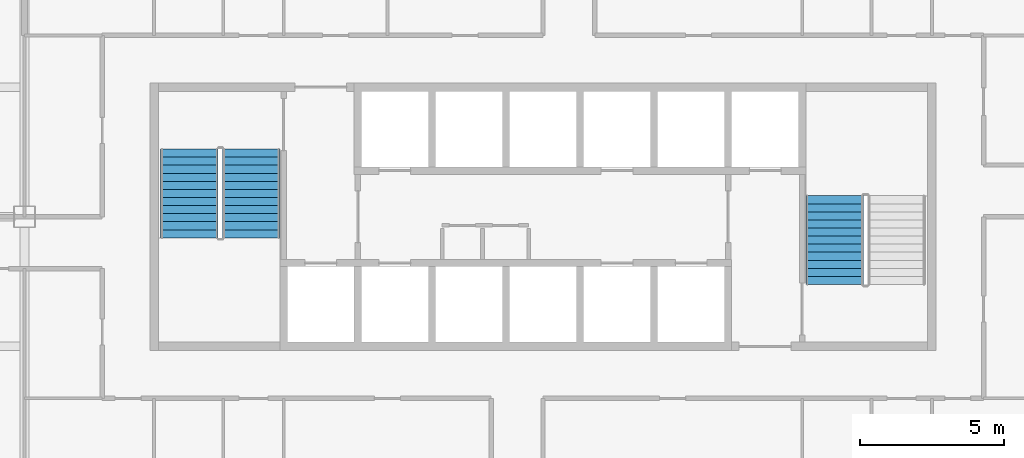
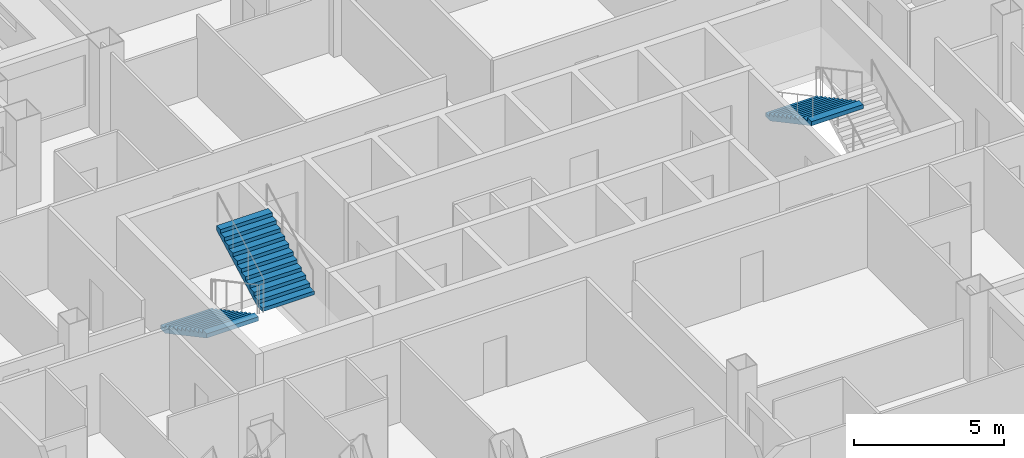
# One storey, part 11 of 15: 3 stair flights, 2 elements without a shape of their own.
"""IFC4 building model written with IfcOpenShell, lengths in metres."""

from ifc_helpers import new_model, si_unit, direction, frame, origin, place, context, subcontext, project, spatial, polygons, material, type_object, element, aggregate, save


model = new_model("IFC4")

# Units and contexts
model_context = context("Model", 3, precision=1e-05, world=origin(), true_north=direction((0.0, 1.0)))
body_context = subcontext(model_context, "Body", "Model", "MODEL_VIEW")
ifc_project = project(units=[si_unit("LENGTHUNIT", "METRE"), si_unit("AREAUNIT", "SQUARE_METRE"), si_unit("VOLUMEUNIT", "CUBIC_METRE"), si_unit("PLANEANGLEUNIT", "RADIAN"), si_unit("MASSUNIT", "GRAM", prefix="KILO")], contexts=[model_context])

# Site, building, storey
site_placement = place(None, origin())
site = spatial("IfcSite", under=ifc_project, at=site_placement, CompositionType="ELEMENT")
building_placement = place(site_placement, origin())
building = spatial("IfcBuilding", under=site, at=building_placement, Name="Caravel Reach Hotel and Residences", CompositionType="ELEMENT")
storey_placement = place(building_placement, frame((0.0, 0.0, 78.0)))
storey = spatial("IfcBuildingStorey", under=building, at=storey_placement, Name="L18", CompositionType="ELEMENT", Elevation=78.0)

# Stair, stair flights
ifc_material_1 = material(Name="Concrete C40", Category="concrete")
stair_type = type_object("IfcStairType", Name="Core stair", PredefinedType="HALF_TURN_STAIR", material=ifc_material_1)
stair_1_placement = place(storey_placement, origin())
stair_1 = element("IfcStair", 1, at=stair_1_placement, inside=storey, type_object=stair_type, Name="L18 Exit stair A", PredefinedType="HALF_TURN_STAIR")
ifc_material_2 = material(Name="Concrete C40", Category="concrete")
stair_flight_type = type_object("IfcStairFlightType", Name="Core stair flight", PredefinedType="STRAIGHT", material=ifc_material_2)
stair_flight_1_placement = place(storey_placement, frame((19.22509765625, 29.35009765625, 0.0), z_axis=(0.0, 0.0, 1.0), x_axis=(0.0, -1.0, 0.0)))
stair_flight_1 = element("IfcStairFlight", 2, at=stair_flight_1_placement, type_object=stair_flight_type, Name="ST-A flight 1", NumberOfRisers=12, NumberOfTreads=11, PredefinedType="STRAIGHT", RiserHeight=0.15, TreadLength=0.28, context=body_context, shape_type="Tessellation", body=[
    polygons([(0.3174408016601862, 1.0, 0.0), (0.3174408016601862, 0.6666666666666667, 0.0), (0.3174408016601862, 0.33333333333333337, 0.0), (0.3174408016601862, 0.0, 0.0), (0.3174408016601862, -0.33333333333333326, 0.0), (0.3174408016601862, -0.6666666666666667, 0.0), (0.3174408016601862, -1.0, 0.0), (3.081, 1.0, 1.479942427682043), (3.081, 0.6666666666666667, 1.479942427682043), (3.081, 0.33333333333333337, 1.479942427682043), (3.081, 0.0, 1.479942427682043), (3.081, -0.33333333333333326, 1.479942427682043), (3.081, -0.6666666666666667, 1.479942427682043), (3.081, -1.0, 1.479942427682043), (3.081, 1.0, 1.65), (3.081, 0.6666666666666667, 1.65), (3.081, 0.33333333333333337, 1.65), (3.081, 0.0, 1.65), (3.081, -0.33333333333333326, 1.65), (3.081, -0.6666666666666667, 1.65), (3.081, -1.0, 1.65), (2.8000000000000003, 1.0, 1.65), (2.8000000000000003, 0.6666666666666667, 1.65), (2.8000000000000003, 0.33333333333333337, 1.65), (2.8000000000000003, 0.0, 1.65), (2.8000000000000003, -0.33333333333333326, 1.65), (2.8000000000000003, -0.6666666666666667, 1.65), (2.8000000000000003, -1.0, 1.65), (2.8000000000000003, 1.0, 1.5), (2.8000000000000003, 0.6666666666666667, 1.5), (2.8000000000000003, 0.33333333333333337, 1.5), (2.8000000000000003, 0.0, 1.5), (2.8000000000000003, -0.33333333333333326, 1.5), (2.8000000000000003, -0.6666666666666667, 1.5), (2.8000000000000003, -1.0, 1.5), (2.5200000000000005, 1.0, 1.5), (2.5200000000000005, 0.6666666666666667, 1.5), (2.5200000000000005, 0.33333333333333337, 1.5), (2.5200000000000005, 0.0, 1.5), (2.5200000000000005, -0.33333333333333326, 1.5), (2.5200000000000005, -0.6666666666666667, 1.5), (2.5200000000000005, -1.0, 1.5), (2.5200000000000005, 1.0, 1.3499999999999999), (2.5200000000000005, 0.6666666666666667, 1.3499999999999999), (2.5200000000000005, 0.33333333333333337, 1.3499999999999999), (2.5200000000000005, 0.0, 1.3499999999999999), (2.5200000000000005, -0.33333333333333326, 1.3499999999999999), (2.5200000000000005, -0.6666666666666667, 1.3499999999999999), (2.5200000000000005, -1.0, 1.3499999999999999), (2.24, 1.0, 1.3499999999999999), (2.24, 0.6666666666666667, 1.3499999999999999), (2.24, 0.33333333333333337, 1.3499999999999999), (2.24, 0.0, 1.3499999999999999), (2.24, -0.33333333333333326, 1.3499999999999999), (2.24, -0.6666666666666667, 1.3499999999999999), (2.24, -1.0, 1.3499999999999999), (2.24, 1.0, 1.2), (2.24, 0.6666666666666667, 1.2), (2.24, 0.33333333333333337, 1.2), (2.24, 0.0, 1.2), (2.24, -0.33333333333333326, 1.2), (2.24, -0.6666666666666667, 1.2), (2.24, -1.0, 1.2), (1.9600000000000002, 1.0, 1.2), (1.9600000000000002, 0.6666666666666667, 1.2), (1.9600000000000002, 0.33333333333333337, 1.2), (1.9600000000000002, 0.0, 1.2), (1.9600000000000002, -0.33333333333333326, 1.2), (1.9600000000000002, -0.6666666666666667, 1.2), (1.9600000000000002, -1.0, 1.2), (1.9600000000000002, 1.0, 1.05), (1.9600000000000002, 0.6666666666666667, 1.05), (1.9600000000000002, 0.33333333333333337, 1.05), (1.9600000000000002, 0.0, 1.05), (1.9600000000000002, -0.33333333333333326, 1.05), (1.9600000000000002, -0.6666666666666667, 1.05), (1.9600000000000002, -1.0, 1.05), (1.6800000000000002, 1.0, 1.05), (1.6800000000000002, 0.6666666666666667, 1.05), (1.6800000000000002, 0.33333333333333337, 1.05), (1.6800000000000002, 0.0, 1.05), (1.6800000000000002, -0.33333333333333326, 1.05), (1.6800000000000002, -0.6666666666666667, 1.05), (1.6800000000000002, -1.0, 1.05), (1.6800000000000002, 1.0, 0.8999999999999999), (1.6800000000000002, 0.6666666666666667, 0.8999999999999999), (1.6800000000000002, 0.33333333333333337, 0.8999999999999999), (1.6800000000000002, 0.0, 0.8999999999999999), (1.6800000000000002, -0.33333333333333326, 0.8999999999999999), (1.6800000000000002, -0.6666666666666667, 0.8999999999999999), (1.6800000000000002, -1.0, 0.8999999999999999), (1.4000000000000001, 1.0, 0.8999999999999999), (1.4000000000000001, 0.6666666666666667, 0.8999999999999999), (1.4000000000000001, 0.33333333333333337, 0.8999999999999999), (1.4000000000000001, 0.0, 0.8999999999999999), (1.4000000000000001, -0.33333333333333326, 0.8999999999999999), (1.4000000000000001, -0.6666666666666667, 0.8999999999999999), (1.4000000000000001, -1.0, 0.8999999999999999), (1.4000000000000001, 1.0, 0.75), (1.4000000000000001, 0.6666666666666667, 0.75), (1.4000000000000001, 0.33333333333333337, 0.75), (1.4000000000000001, 0.0, 0.75), (1.4000000000000001, -0.33333333333333326, 0.75), (1.4000000000000001, -0.6666666666666667, 0.75), (1.4000000000000001, -1.0, 0.75), (1.12, 1.0, 0.75), (1.12, 0.6666666666666667, 0.75), (1.12, 0.33333333333333337, 0.75), (1.12, 0.0, 0.75), (1.12, -0.33333333333333326, 0.75), (1.12, -0.6666666666666667, 0.75), (1.12, -1.0, 0.75), (1.12, 1.0, 0.6), (1.12, 0.6666666666666667, 0.6), (1.12, 0.33333333333333337, 0.6), (1.12, 0.0, 0.6), (1.12, -0.33333333333333326, 0.6), (1.12, -0.6666666666666667, 0.6), (1.12, -1.0, 0.6), (0.8400000000000001, 1.0, 0.6), (0.8400000000000001, 0.6666666666666667, 0.6), (0.8400000000000001, 0.33333333333333337, 0.6), (0.8400000000000001, 0.0, 0.6), (0.8400000000000001, -0.33333333333333326, 0.6), (0.8400000000000001, -0.6666666666666667, 0.6), (0.8400000000000001, -1.0, 0.6), (0.8400000000000001, 1.0, 0.44999999999999996), (0.8400000000000001, 0.6666666666666667, 0.44999999999999996), (0.8400000000000001, 0.33333333333333337, 0.44999999999999996), (0.8400000000000001, 0.0, 0.44999999999999996), (0.8400000000000001, -0.33333333333333326, 0.44999999999999996), (0.8400000000000001, -0.6666666666666667, 0.44999999999999996), (0.8400000000000001, -1.0, 0.44999999999999996), (0.56, 1.0, 0.44999999999999996), (0.56, 0.6666666666666667, 0.44999999999999996), (0.56, 0.33333333333333337, 0.44999999999999996), (0.56, 0.0, 0.44999999999999996), (0.56, -0.33333333333333326, 0.44999999999999996), (0.56, -0.6666666666666667, 0.44999999999999996), (0.56, -1.0, 0.44999999999999996), (0.56, 1.0, 0.3), (0.56, 0.6666666666666667, 0.3), (0.56, 0.33333333333333337, 0.3), (0.56, 0.0, 0.3), (0.56, -0.33333333333333326, 0.3), (0.56, -0.6666666666666667, 0.3), (0.56, -1.0, 0.3), (0.28, 1.0, 0.3), (0.28, 0.6666666666666667, 0.3), (0.28, 0.33333333333333337, 0.3), (0.28, 0.0, 0.3), (0.28, -0.33333333333333326, 0.3), (0.28, -0.6666666666666667, 0.3), (0.28, -1.0, 0.3), (0.28, 1.0, 0.15), (0.28, 0.6666666666666667, 0.15), (0.28, 0.33333333333333337, 0.15), (0.28, 0.0, 0.15), (0.28, -0.33333333333333326, 0.15), (0.28, -0.6666666666666667, 0.15), (0.28, -1.0, 0.15), (-0.001, 1.0, 0.15), (-0.001, 0.6666666666666667, 0.15), (-0.001, 0.33333333333333337, 0.15), (-0.001, 0.0, 0.15), (-0.001, -0.33333333333333326, 0.15), (-0.001, -0.6666666666666667, 0.15), (-0.001, -1.0, 0.15), (-0.001, 1.0, 0.0), (-0.001, 0.6666666666666667, 0.0), (-0.001, 0.33333333333333337, 0.0), (-0.001, 0.0, 0.0), (-0.001, -0.33333333333333326, 0.0), (-0.001, -0.6666666666666667, 0.0), (-0.001, -1.0, 0.0)], [[[169, 162, 155, 148, 141, 134, 127, 120, 113, 106, 99, 92, 85, 78, 71, 64, 57, 50, 43, 36, 29, 22, 15, 8, 1]], [[7, 14, 21, 28, 35, 42, 49, 56, 63, 70, 77, 84, 91, 98, 105, 112, 119, 126, 133, 140, 147, 154, 161, 168, 175]], [[1, 8, 9, 2]], [[2, 9, 10, 3]], [[3, 10, 11, 4]], [[4, 11, 12, 5]], [[5, 12, 13, 6]], [[6, 13, 14, 7]], [[8, 15, 16, 9]], [[9, 16, 17, 10]], [[10, 17, 18, 11]], [[11, 18, 19, 12]], [[12, 19, 20, 13]], [[13, 20, 21, 14]], [[15, 22, 23, 16]], [[16, 23, 24, 17]], [[17, 24, 25, 18]], [[18, 25, 26, 19]], [[19, 26, 27, 20]], [[20, 27, 28, 21]], [[22, 29, 30, 23]], [[23, 30, 31, 24]], [[24, 31, 32, 25]], [[25, 32, 33, 26]], [[26, 33, 34, 27]], [[27, 34, 35, 28]], [[29, 36, 37, 30]], [[30, 37, 38, 31]], [[31, 38, 39, 32]], [[32, 39, 40, 33]], [[33, 40, 41, 34]], [[34, 41, 42, 35]], [[36, 43, 44, 37]], [[37, 44, 45, 38]], [[38, 45, 46, 39]], [[39, 46, 47, 40]], [[40, 47, 48, 41]], [[41, 48, 49, 42]], [[43, 50, 51, 44]], [[44, 51, 52, 45]], [[45, 52, 53, 46]], [[46, 53, 54, 47]], [[47, 54, 55, 48]], [[48, 55, 56, 49]], [[50, 57, 58, 51]], [[51, 58, 59, 52]], [[52, 59, 60, 53]], [[53, 60, 61, 54]], [[54, 61, 62, 55]], [[55, 62, 63, 56]], [[57, 64, 65, 58]], [[58, 65, 66, 59]], [[59, 66, 67, 60]], [[60, 67, 68, 61]], [[61, 68, 69, 62]], [[62, 69, 70, 63]], [[64, 71, 72, 65]], [[65, 72, 73, 66]], [[66, 73, 74, 67]], [[67, 74, 75, 68]], [[68, 75, 76, 69]], [[69, 76, 77, 70]], [[71, 78, 79, 72]], [[72, 79, 80, 73]], [[73, 80, 81, 74]], [[74, 81, 82, 75]], [[75, 82, 83, 76]], [[76, 83, 84, 77]], [[78, 85, 86, 79]], [[79, 86, 87, 80]], [[80, 87, 88, 81]], [[81, 88, 89, 82]], [[82, 89, 90, 83]], [[83, 90, 91, 84]], [[85, 92, 93, 86]], [[86, 93, 94, 87]], [[87, 94, 95, 88]], [[88, 95, 96, 89]], [[89, 96, 97, 90]], [[90, 97, 98, 91]], [[92, 99, 100, 93]], [[93, 100, 101, 94]], [[94, 101, 102, 95]], [[95, 102, 103, 96]], [[96, 103, 104, 97]], [[97, 104, 105, 98]], [[99, 106, 107, 100]], [[100, 107, 108, 101]], [[101, 108, 109, 102]], [[102, 109, 110, 103]], [[103, 110, 111, 104]], [[104, 111, 112, 105]], [[106, 113, 114, 107]], [[107, 114, 115, 108]], [[108, 115, 116, 109]], [[109, 116, 117, 110]], [[110, 117, 118, 111]], [[111, 118, 119, 112]], [[113, 120, 121, 114]], [[114, 121, 122, 115]], [[115, 122, 123, 116]], [[116, 123, 124, 117]], [[117, 124, 125, 118]], [[118, 125, 126, 119]], [[120, 127, 128, 121]], [[121, 128, 129, 122]], [[122, 129, 130, 123]], [[123, 130, 131, 124]], [[124, 131, 132, 125]], [[125, 132, 133, 126]], [[127, 134, 135, 128]], [[128, 135, 136, 129]], [[129, 136, 137, 130]], [[130, 137, 138, 131]], [[131, 138, 139, 132]], [[132, 139, 140, 133]], [[134, 141, 142, 135]], [[135, 142, 143, 136]], [[136, 143, 144, 137]], [[137, 144, 145, 138]], [[138, 145, 146, 139]], [[139, 146, 147, 140]], [[141, 148, 149, 142]], [[142, 149, 150, 143]], [[143, 150, 151, 144]], [[144, 151, 152, 145]], [[145, 152, 153, 146]], [[146, 153, 154, 147]], [[148, 155, 156, 149]], [[149, 156, 157, 150]], [[150, 157, 158, 151]], [[151, 158, 159, 152]], [[152, 159, 160, 153]], [[153, 160, 161, 154]], [[155, 162, 163, 156]], [[156, 163, 164, 157]], [[157, 164, 165, 158]], [[158, 165, 166, 159]], [[159, 166, 167, 160]], [[160, 167, 168, 161]], [[162, 169, 170, 163]], [[163, 170, 171, 164]], [[164, 171, 172, 165]], [[165, 172, 173, 166]], [[166, 173, 174, 167]], [[167, 174, 175, 168]], [[169, 1, 2, 170]], [[170, 2, 3, 171]], [[171, 3, 4, 172]], [[172, 4, 5, 173]], [[173, 5, 6, 174]], [[174, 6, 7, 175]]], closed=True),
])
stair_flight_2_placement = place(storey_placement, frame((21.375, 26.27001953125, 1.800048828125), z_axis=(0.0, 0.0, 1.0), x_axis=(0.0, 1.0, 0.0)))
stair_flight_2 = element("IfcStairFlight", 3, at=stair_flight_2_placement, type_object=stair_flight_type, Name="ST-A flight 2", NumberOfRisers=12, NumberOfTreads=11, PredefinedType="STRAIGHT", RiserHeight=0.15, TreadLength=0.28, context=body_context, shape_type="Tessellation", body=[
    polygons([(0.3174408016601862, 1.0, 0.0), (0.3174408016601862, 0.6666666666666667, 0.0), (0.3174408016601862, 0.33333333333333337, 0.0), (0.3174408016601862, 0.0, 0.0), (0.3174408016601862, -0.33333333333333326, 0.0), (0.3174408016601862, -0.6666666666666667, 0.0), (0.3174408016601862, -1.0, 0.0), (3.081, 1.0, 1.479942427682043), (3.081, 0.6666666666666667, 1.479942427682043), (3.081, 0.33333333333333337, 1.479942427682043), (3.081, 0.0, 1.479942427682043), (3.081, -0.33333333333333326, 1.479942427682043), (3.081, -0.6666666666666667, 1.479942427682043), (3.081, -1.0, 1.479942427682043), (3.081, 1.0, 1.65), (3.081, 0.6666666666666667, 1.65), (3.081, 0.33333333333333337, 1.65), (3.081, 0.0, 1.65), (3.081, -0.33333333333333326, 1.65), (3.081, -0.6666666666666667, 1.65), (3.081, -1.0, 1.65), (2.8000000000000003, 1.0, 1.65), (2.8000000000000003, 0.6666666666666667, 1.65), (2.8000000000000003, 0.33333333333333337, 1.65), (2.8000000000000003, 0.0, 1.65), (2.8000000000000003, -0.33333333333333326, 1.65), (2.8000000000000003, -0.6666666666666667, 1.65), (2.8000000000000003, -1.0, 1.65), (2.8000000000000003, 1.0, 1.5), (2.8000000000000003, 0.6666666666666667, 1.5), (2.8000000000000003, 0.33333333333333337, 1.5), (2.8000000000000003, 0.0, 1.5), (2.8000000000000003, -0.33333333333333326, 1.5), (2.8000000000000003, -0.6666666666666667, 1.5), (2.8000000000000003, -1.0, 1.5), (2.5200000000000005, 1.0, 1.5), (2.5200000000000005, 0.6666666666666667, 1.5), (2.5200000000000005, 0.33333333333333337, 1.5), (2.5200000000000005, 0.0, 1.5), (2.5200000000000005, -0.33333333333333326, 1.5), (2.5200000000000005, -0.6666666666666667, 1.5), (2.5200000000000005, -1.0, 1.5), (2.5200000000000005, 1.0, 1.3499999999999999), (2.5200000000000005, 0.6666666666666667, 1.3499999999999999), (2.5200000000000005, 0.33333333333333337, 1.3499999999999999), (2.5200000000000005, 0.0, 1.3499999999999999), (2.5200000000000005, -0.33333333333333326, 1.3499999999999999), (2.5200000000000005, -0.6666666666666667, 1.3499999999999999), (2.5200000000000005, -1.0, 1.3499999999999999), (2.24, 1.0, 1.3499999999999999), (2.24, 0.6666666666666667, 1.3499999999999999), (2.24, 0.33333333333333337, 1.3499999999999999), (2.24, 0.0, 1.3499999999999999), (2.24, -0.33333333333333326, 1.3499999999999999), (2.24, -0.6666666666666667, 1.3499999999999999), (2.24, -1.0, 1.3499999999999999), (2.24, 1.0, 1.2), (2.24, 0.6666666666666667, 1.2), (2.24, 0.33333333333333337, 1.2), (2.24, 0.0, 1.2), (2.24, -0.33333333333333326, 1.2), (2.24, -0.6666666666666667, 1.2), (2.24, -1.0, 1.2), (1.9600000000000002, 1.0, 1.2), (1.9600000000000002, 0.6666666666666667, 1.2), (1.9600000000000002, 0.33333333333333337, 1.2), (1.9600000000000002, 0.0, 1.2), (1.9600000000000002, -0.33333333333333326, 1.2), (1.9600000000000002, -0.6666666666666667, 1.2), (1.9600000000000002, -1.0, 1.2), (1.9600000000000002, 1.0, 1.05), (1.9600000000000002, 0.6666666666666667, 1.05), (1.9600000000000002, 0.33333333333333337, 1.05), (1.9600000000000002, 0.0, 1.05), (1.9600000000000002, -0.33333333333333326, 1.05), (1.9600000000000002, -0.6666666666666667, 1.05), (1.9600000000000002, -1.0, 1.05), (1.6800000000000002, 1.0, 1.05), (1.6800000000000002, 0.6666666666666667, 1.05), (1.6800000000000002, 0.33333333333333337, 1.05), (1.6800000000000002, 0.0, 1.05), (1.6800000000000002, -0.33333333333333326, 1.05), (1.6800000000000002, -0.6666666666666667, 1.05), (1.6800000000000002, -1.0, 1.05), (1.6800000000000002, 1.0, 0.8999999999999999), (1.6800000000000002, 0.6666666666666667, 0.8999999999999999), (1.6800000000000002, 0.33333333333333337, 0.8999999999999999), (1.6800000000000002, 0.0, 0.8999999999999999), (1.6800000000000002, -0.33333333333333326, 0.8999999999999999), (1.6800000000000002, -0.6666666666666667, 0.8999999999999999), (1.6800000000000002, -1.0, 0.8999999999999999), (1.4000000000000001, 1.0, 0.8999999999999999), (1.4000000000000001, 0.6666666666666667, 0.8999999999999999), (1.4000000000000001, 0.33333333333333337, 0.8999999999999999), (1.4000000000000001, 0.0, 0.8999999999999999), (1.4000000000000001, -0.33333333333333326, 0.8999999999999999), (1.4000000000000001, -0.6666666666666667, 0.8999999999999999), (1.4000000000000001, -1.0, 0.8999999999999999), (1.4000000000000001, 1.0, 0.75), (1.4000000000000001, 0.6666666666666667, 0.75), (1.4000000000000001, 0.33333333333333337, 0.75), (1.4000000000000001, 0.0, 0.75), (1.4000000000000001, -0.33333333333333326, 0.75), (1.4000000000000001, -0.6666666666666667, 0.75), (1.4000000000000001, -1.0, 0.75), (1.12, 1.0, 0.75), (1.12, 0.6666666666666667, 0.75), (1.12, 0.33333333333333337, 0.75), (1.12, 0.0, 0.75), (1.12, -0.33333333333333326, 0.75), (1.12, -0.6666666666666667, 0.75), (1.12, -1.0, 0.75), (1.12, 1.0, 0.6), (1.12, 0.6666666666666667, 0.6), (1.12, 0.33333333333333337, 0.6), (1.12, 0.0, 0.6), (1.12, -0.33333333333333326, 0.6), (1.12, -0.6666666666666667, 0.6), (1.12, -1.0, 0.6), (0.8400000000000001, 1.0, 0.6), (0.8400000000000001, 0.6666666666666667, 0.6), (0.8400000000000001, 0.33333333333333337, 0.6), (0.8400000000000001, 0.0, 0.6), (0.8400000000000001, -0.33333333333333326, 0.6), (0.8400000000000001, -0.6666666666666667, 0.6), (0.8400000000000001, -1.0, 0.6), (0.8400000000000001, 1.0, 0.44999999999999996), (0.8400000000000001, 0.6666666666666667, 0.44999999999999996), (0.8400000000000001, 0.33333333333333337, 0.44999999999999996), (0.8400000000000001, 0.0, 0.44999999999999996), (0.8400000000000001, -0.33333333333333326, 0.44999999999999996), (0.8400000000000001, -0.6666666666666667, 0.44999999999999996), (0.8400000000000001, -1.0, 0.44999999999999996), (0.56, 1.0, 0.44999999999999996), (0.56, 0.6666666666666667, 0.44999999999999996), (0.56, 0.33333333333333337, 0.44999999999999996), (0.56, 0.0, 0.44999999999999996), (0.56, -0.33333333333333326, 0.44999999999999996), (0.56, -0.6666666666666667, 0.44999999999999996), (0.56, -1.0, 0.44999999999999996), (0.56, 1.0, 0.3), (0.56, 0.6666666666666667, 0.3), (0.56, 0.33333333333333337, 0.3), (0.56, 0.0, 0.3), (0.56, -0.33333333333333326, 0.3), (0.56, -0.6666666666666667, 0.3), (0.56, -1.0, 0.3), (0.28, 1.0, 0.3), (0.28, 0.6666666666666667, 0.3), (0.28, 0.33333333333333337, 0.3), (0.28, 0.0, 0.3), (0.28, -0.33333333333333326, 0.3), (0.28, -0.6666666666666667, 0.3), (0.28, -1.0, 0.3), (0.28, 1.0, 0.15), (0.28, 0.6666666666666667, 0.15), (0.28, 0.33333333333333337, 0.15), (0.28, 0.0, 0.15), (0.28, -0.33333333333333326, 0.15), (0.28, -0.6666666666666667, 0.15), (0.28, -1.0, 0.15), (-0.001, 1.0, 0.15), (-0.001, 0.6666666666666667, 0.15), (-0.001, 0.33333333333333337, 0.15), (-0.001, 0.0, 0.15), (-0.001, -0.33333333333333326, 0.15), (-0.001, -0.6666666666666667, 0.15), (-0.001, -1.0, 0.15), (-0.001, 1.0, 0.0), (-0.001, 0.6666666666666667, 0.0), (-0.001, 0.33333333333333337, 0.0), (-0.001, 0.0, 0.0), (-0.001, -0.33333333333333326, 0.0), (-0.001, -0.6666666666666667, 0.0), (-0.001, -1.0, 0.0)], [[[169, 162, 155, 148, 141, 134, 127, 120, 113, 106, 99, 92, 85, 78, 71, 64, 57, 50, 43, 36, 29, 22, 15, 8, 1]], [[7, 14, 21, 28, 35, 42, 49, 56, 63, 70, 77, 84, 91, 98, 105, 112, 119, 126, 133, 140, 147, 154, 161, 168, 175]], [[1, 8, 9, 2]], [[2, 9, 10, 3]], [[3, 10, 11, 4]], [[4, 11, 12, 5]], [[5, 12, 13, 6]], [[6, 13, 14, 7]], [[8, 15, 16, 9]], [[9, 16, 17, 10]], [[10, 17, 18, 11]], [[11, 18, 19, 12]], [[12, 19, 20, 13]], [[13, 20, 21, 14]], [[15, 22, 23, 16]], [[16, 23, 24, 17]], [[17, 24, 25, 18]], [[18, 25, 26, 19]], [[19, 26, 27, 20]], [[20, 27, 28, 21]], [[22, 29, 30, 23]], [[23, 30, 31, 24]], [[24, 31, 32, 25]], [[25, 32, 33, 26]], [[26, 33, 34, 27]], [[27, 34, 35, 28]], [[29, 36, 37, 30]], [[30, 37, 38, 31]], [[31, 38, 39, 32]], [[32, 39, 40, 33]], [[33, 40, 41, 34]], [[34, 41, 42, 35]], [[36, 43, 44, 37]], [[37, 44, 45, 38]], [[38, 45, 46, 39]], [[39, 46, 47, 40]], [[40, 47, 48, 41]], [[41, 48, 49, 42]], [[43, 50, 51, 44]], [[44, 51, 52, 45]], [[45, 52, 53, 46]], [[46, 53, 54, 47]], [[47, 54, 55, 48]], [[48, 55, 56, 49]], [[50, 57, 58, 51]], [[51, 58, 59, 52]], [[52, 59, 60, 53]], [[53, 60, 61, 54]], [[54, 61, 62, 55]], [[55, 62, 63, 56]], [[57, 64, 65, 58]], [[58, 65, 66, 59]], [[59, 66, 67, 60]], [[60, 67, 68, 61]], [[61, 68, 69, 62]], [[62, 69, 70, 63]], [[64, 71, 72, 65]], [[65, 72, 73, 66]], [[66, 73, 74, 67]], [[67, 74, 75, 68]], [[68, 75, 76, 69]], [[69, 76, 77, 70]], [[71, 78, 79, 72]], [[72, 79, 80, 73]], [[73, 80, 81, 74]], [[74, 81, 82, 75]], [[75, 82, 83, 76]], [[76, 83, 84, 77]], [[78, 85, 86, 79]], [[79, 86, 87, 80]], [[80, 87, 88, 81]], [[81, 88, 89, 82]], [[82, 89, 90, 83]], [[83, 90, 91, 84]], [[85, 92, 93, 86]], [[86, 93, 94, 87]], [[87, 94, 95, 88]], [[88, 95, 96, 89]], [[89, 96, 97, 90]], [[90, 97, 98, 91]], [[92, 99, 100, 93]], [[93, 100, 101, 94]], [[94, 101, 102, 95]], [[95, 102, 103, 96]], [[96, 103, 104, 97]], [[97, 104, 105, 98]], [[99, 106, 107, 100]], [[100, 107, 108, 101]], [[101, 108, 109, 102]], [[102, 109, 110, 103]], [[103, 110, 111, 104]], [[104, 111, 112, 105]], [[106, 113, 114, 107]], [[107, 114, 115, 108]], [[108, 115, 116, 109]], [[109, 116, 117, 110]], [[110, 117, 118, 111]], [[111, 118, 119, 112]], [[113, 120, 121, 114]], [[114, 121, 122, 115]], [[115, 122, 123, 116]], [[116, 123, 124, 117]], [[117, 124, 125, 118]], [[118, 125, 126, 119]], [[120, 127, 128, 121]], [[121, 128, 129, 122]], [[122, 129, 130, 123]], [[123, 130, 131, 124]], [[124, 131, 132, 125]], [[125, 132, 133, 126]], [[127, 134, 135, 128]], [[128, 135, 136, 129]], [[129, 136, 137, 130]], [[130, 137, 138, 131]], [[131, 138, 139, 132]], [[132, 139, 140, 133]], [[134, 141, 142, 135]], [[135, 142, 143, 136]], [[136, 143, 144, 137]], [[137, 144, 145, 138]], [[138, 145, 146, 139]], [[139, 146, 147, 140]], [[141, 148, 149, 142]], [[142, 149, 150, 143]], [[143, 150, 151, 144]], [[144, 151, 152, 145]], [[145, 152, 153, 146]], [[146, 153, 154, 147]], [[148, 155, 156, 149]], [[149, 156, 157, 150]], [[150, 157, 158, 151]], [[151, 158, 159, 152]], [[152, 159, 160, 153]], [[153, 160, 161, 154]], [[155, 162, 163, 156]], [[156, 163, 164, 157]], [[157, 164, 165, 158]], [[158, 165, 166, 159]], [[159, 166, 167, 160]], [[160, 167, 168, 161]], [[162, 169, 170, 163]], [[163, 170, 171, 164]], [[164, 171, 172, 165]], [[165, 172, 173, 166]], [[166, 173, 174, 167]], [[167, 174, 175, 168]], [[169, 1, 2, 170]], [[170, 2, 3, 171]], [[171, 3, 4, 172]], [[172, 4, 5, 173]], [[173, 5, 6, 174]], [[174, 6, 7, 175]]], closed=True),
])
aggregate(stair_1, [stair_flight_1, stair_flight_2])

# Stair, stair flight
stair_2_placement = place(storey_placement, origin())
stair_2 = element("IfcStair", 4, at=stair_2_placement, inside=storey, type_object=stair_type, Name="L18 Exit stair B", PredefinedType="HALF_TURN_STAIR")
stair_flight_3_placement = place(storey_placement, frame((41.625, 27.72998046875, 1.800048828125), z_axis=(0.0, 0.0, 1.0), x_axis=(0.0, -1.0, 0.0)))
stair_flight_3 = element("IfcStairFlight", 5, at=stair_flight_3_placement, type_object=stair_flight_type, Name="ST-B flight 2", NumberOfRisers=12, NumberOfTreads=11, PredefinedType="STRAIGHT", RiserHeight=0.15, TreadLength=0.28, context=body_context, shape_type="Tessellation", body=[
    polygons([(0.3174408016601862, 1.0, 0.0), (0.3174408016601862, 0.6666666666666667, 0.0), (0.3174408016601862, 0.33333333333333337, 0.0), (0.3174408016601862, 0.0, 0.0), (0.3174408016601862, -0.33333333333333326, 0.0), (0.3174408016601862, -0.6666666666666667, 0.0), (0.3174408016601862, -1.0, 0.0), (3.081, 1.0, 1.479942427682043), (3.081, 0.6666666666666667, 1.479942427682043), (3.081, 0.33333333333333337, 1.479942427682043), (3.081, 0.0, 1.479942427682043), (3.081, -0.33333333333333326, 1.479942427682043), (3.081, -0.6666666666666667, 1.479942427682043), (3.081, -1.0, 1.479942427682043), (3.081, 1.0, 1.65), (3.081, 0.6666666666666667, 1.65), (3.081, 0.33333333333333337, 1.65), (3.081, 0.0, 1.65), (3.081, -0.33333333333333326, 1.65), (3.081, -0.6666666666666667, 1.65), (3.081, -1.0, 1.65), (2.8000000000000003, 1.0, 1.65), (2.8000000000000003, 0.6666666666666667, 1.65), (2.8000000000000003, 0.33333333333333337, 1.65), (2.8000000000000003, 0.0, 1.65), (2.8000000000000003, -0.33333333333333326, 1.65), (2.8000000000000003, -0.6666666666666667, 1.65), (2.8000000000000003, -1.0, 1.65), (2.8000000000000003, 1.0, 1.5), (2.8000000000000003, 0.6666666666666667, 1.5), (2.8000000000000003, 0.33333333333333337, 1.5), (2.8000000000000003, 0.0, 1.5), (2.8000000000000003, -0.33333333333333326, 1.5), (2.8000000000000003, -0.6666666666666667, 1.5), (2.8000000000000003, -1.0, 1.5), (2.5200000000000005, 1.0, 1.5), (2.5200000000000005, 0.6666666666666667, 1.5), (2.5200000000000005, 0.33333333333333337, 1.5), (2.5200000000000005, 0.0, 1.5), (2.5200000000000005, -0.33333333333333326, 1.5), (2.5200000000000005, -0.6666666666666667, 1.5), (2.5200000000000005, -1.0, 1.5), (2.5200000000000005, 1.0, 1.3499999999999999), (2.5200000000000005, 0.6666666666666667, 1.3499999999999999), (2.5200000000000005, 0.33333333333333337, 1.3499999999999999), (2.5200000000000005, 0.0, 1.3499999999999999), (2.5200000000000005, -0.33333333333333326, 1.3499999999999999), (2.5200000000000005, -0.6666666666666667, 1.3499999999999999), (2.5200000000000005, -1.0, 1.3499999999999999), (2.24, 1.0, 1.3499999999999999), (2.24, 0.6666666666666667, 1.3499999999999999), (2.24, 0.33333333333333337, 1.3499999999999999), (2.24, 0.0, 1.3499999999999999), (2.24, -0.33333333333333326, 1.3499999999999999), (2.24, -0.6666666666666667, 1.3499999999999999), (2.24, -1.0, 1.3499999999999999), (2.24, 1.0, 1.2), (2.24, 0.6666666666666667, 1.2), (2.24, 0.33333333333333337, 1.2), (2.24, 0.0, 1.2), (2.24, -0.33333333333333326, 1.2), (2.24, -0.6666666666666667, 1.2), (2.24, -1.0, 1.2), (1.9600000000000002, 1.0, 1.2), (1.9600000000000002, 0.6666666666666667, 1.2), (1.9600000000000002, 0.33333333333333337, 1.2), (1.9600000000000002, 0.0, 1.2), (1.9600000000000002, -0.33333333333333326, 1.2), (1.9600000000000002, -0.6666666666666667, 1.2), (1.9600000000000002, -1.0, 1.2), (1.9600000000000002, 1.0, 1.05), (1.9600000000000002, 0.6666666666666667, 1.05), (1.9600000000000002, 0.33333333333333337, 1.05), (1.9600000000000002, 0.0, 1.05), (1.9600000000000002, -0.33333333333333326, 1.05), (1.9600000000000002, -0.6666666666666667, 1.05), (1.9600000000000002, -1.0, 1.05), (1.6800000000000002, 1.0, 1.05), (1.6800000000000002, 0.6666666666666667, 1.05), (1.6800000000000002, 0.33333333333333337, 1.05), (1.6800000000000002, 0.0, 1.05), (1.6800000000000002, -0.33333333333333326, 1.05), (1.6800000000000002, -0.6666666666666667, 1.05), (1.6800000000000002, -1.0, 1.05), (1.6800000000000002, 1.0, 0.8999999999999999), (1.6800000000000002, 0.6666666666666667, 0.8999999999999999), (1.6800000000000002, 0.33333333333333337, 0.8999999999999999), (1.6800000000000002, 0.0, 0.8999999999999999), (1.6800000000000002, -0.33333333333333326, 0.8999999999999999), (1.6800000000000002, -0.6666666666666667, 0.8999999999999999), (1.6800000000000002, -1.0, 0.8999999999999999), (1.4000000000000001, 1.0, 0.8999999999999999), (1.4000000000000001, 0.6666666666666667, 0.8999999999999999), (1.4000000000000001, 0.33333333333333337, 0.8999999999999999), (1.4000000000000001, 0.0, 0.8999999999999999), (1.4000000000000001, -0.33333333333333326, 0.8999999999999999), (1.4000000000000001, -0.6666666666666667, 0.8999999999999999), (1.4000000000000001, -1.0, 0.8999999999999999), (1.4000000000000001, 1.0, 0.75), (1.4000000000000001, 0.6666666666666667, 0.75), (1.4000000000000001, 0.33333333333333337, 0.75), (1.4000000000000001, 0.0, 0.75), (1.4000000000000001, -0.33333333333333326, 0.75), (1.4000000000000001, -0.6666666666666667, 0.75), (1.4000000000000001, -1.0, 0.75), (1.12, 1.0, 0.75), (1.12, 0.6666666666666667, 0.75), (1.12, 0.33333333333333337, 0.75), (1.12, 0.0, 0.75), (1.12, -0.33333333333333326, 0.75), (1.12, -0.6666666666666667, 0.75), (1.12, -1.0, 0.75), (1.12, 1.0, 0.6), (1.12, 0.6666666666666667, 0.6), (1.12, 0.33333333333333337, 0.6), (1.12, 0.0, 0.6), (1.12, -0.33333333333333326, 0.6), (1.12, -0.6666666666666667, 0.6), (1.12, -1.0, 0.6), (0.8400000000000001, 1.0, 0.6), (0.8400000000000001, 0.6666666666666667, 0.6), (0.8400000000000001, 0.33333333333333337, 0.6), (0.8400000000000001, 0.0, 0.6), (0.8400000000000001, -0.33333333333333326, 0.6), (0.8400000000000001, -0.6666666666666667, 0.6), (0.8400000000000001, -1.0, 0.6), (0.8400000000000001, 1.0, 0.44999999999999996), (0.8400000000000001, 0.6666666666666667, 0.44999999999999996), (0.8400000000000001, 0.33333333333333337, 0.44999999999999996), (0.8400000000000001, 0.0, 0.44999999999999996), (0.8400000000000001, -0.33333333333333326, 0.44999999999999996), (0.8400000000000001, -0.6666666666666667, 0.44999999999999996), (0.8400000000000001, -1.0, 0.44999999999999996), (0.56, 1.0, 0.44999999999999996), (0.56, 0.6666666666666667, 0.44999999999999996), (0.56, 0.33333333333333337, 0.44999999999999996), (0.56, 0.0, 0.44999999999999996), (0.56, -0.33333333333333326, 0.44999999999999996), (0.56, -0.6666666666666667, 0.44999999999999996), (0.56, -1.0, 0.44999999999999996), (0.56, 1.0, 0.3), (0.56, 0.6666666666666667, 0.3), (0.56, 0.33333333333333337, 0.3), (0.56, 0.0, 0.3), (0.56, -0.33333333333333326, 0.3), (0.56, -0.6666666666666667, 0.3), (0.56, -1.0, 0.3), (0.28, 1.0, 0.3), (0.28, 0.6666666666666667, 0.3), (0.28, 0.33333333333333337, 0.3), (0.28, 0.0, 0.3), (0.28, -0.33333333333333326, 0.3), (0.28, -0.6666666666666667, 0.3), (0.28, -1.0, 0.3), (0.28, 1.0, 0.15), (0.28, 0.6666666666666667, 0.15), (0.28, 0.33333333333333337, 0.15), (0.28, 0.0, 0.15), (0.28, -0.33333333333333326, 0.15), (0.28, -0.6666666666666667, 0.15), (0.28, -1.0, 0.15), (-0.001, 1.0, 0.15), (-0.001, 0.6666666666666667, 0.15), (-0.001, 0.33333333333333337, 0.15), (-0.001, 0.0, 0.15), (-0.001, -0.33333333333333326, 0.15), (-0.001, -0.6666666666666667, 0.15), (-0.001, -1.0, 0.15), (-0.001, 1.0, 0.0), (-0.001, 0.6666666666666667, 0.0), (-0.001, 0.33333333333333337, 0.0), (-0.001, 0.0, 0.0), (-0.001, -0.33333333333333326, 0.0), (-0.001, -0.6666666666666667, 0.0), (-0.001, -1.0, 0.0)], [[[169, 162, 155, 148, 141, 134, 127, 120, 113, 106, 99, 92, 85, 78, 71, 64, 57, 50, 43, 36, 29, 22, 15, 8, 1]], [[7, 14, 21, 28, 35, 42, 49, 56, 63, 70, 77, 84, 91, 98, 105, 112, 119, 126, 133, 140, 147, 154, 161, 168, 175]], [[1, 8, 9, 2]], [[2, 9, 10, 3]], [[3, 10, 11, 4]], [[4, 11, 12, 5]], [[5, 12, 13, 6]], [[6, 13, 14, 7]], [[8, 15, 16, 9]], [[9, 16, 17, 10]], [[10, 17, 18, 11]], [[11, 18, 19, 12]], [[12, 19, 20, 13]], [[13, 20, 21, 14]], [[15, 22, 23, 16]], [[16, 23, 24, 17]], [[17, 24, 25, 18]], [[18, 25, 26, 19]], [[19, 26, 27, 20]], [[20, 27, 28, 21]], [[22, 29, 30, 23]], [[23, 30, 31, 24]], [[24, 31, 32, 25]], [[25, 32, 33, 26]], [[26, 33, 34, 27]], [[27, 34, 35, 28]], [[29, 36, 37, 30]], [[30, 37, 38, 31]], [[31, 38, 39, 32]], [[32, 39, 40, 33]], [[33, 40, 41, 34]], [[34, 41, 42, 35]], [[36, 43, 44, 37]], [[37, 44, 45, 38]], [[38, 45, 46, 39]], [[39, 46, 47, 40]], [[40, 47, 48, 41]], [[41, 48, 49, 42]], [[43, 50, 51, 44]], [[44, 51, 52, 45]], [[45, 52, 53, 46]], [[46, 53, 54, 47]], [[47, 54, 55, 48]], [[48, 55, 56, 49]], [[50, 57, 58, 51]], [[51, 58, 59, 52]], [[52, 59, 60, 53]], [[53, 60, 61, 54]], [[54, 61, 62, 55]], [[55, 62, 63, 56]], [[57, 64, 65, 58]], [[58, 65, 66, 59]], [[59, 66, 67, 60]], [[60, 67, 68, 61]], [[61, 68, 69, 62]], [[62, 69, 70, 63]], [[64, 71, 72, 65]], [[65, 72, 73, 66]], [[66, 73, 74, 67]], [[67, 74, 75, 68]], [[68, 75, 76, 69]], [[69, 76, 77, 70]], [[71, 78, 79, 72]], [[72, 79, 80, 73]], [[73, 80, 81, 74]], [[74, 81, 82, 75]], [[75, 82, 83, 76]], [[76, 83, 84, 77]], [[78, 85, 86, 79]], [[79, 86, 87, 80]], [[80, 87, 88, 81]], [[81, 88, 89, 82]], [[82, 89, 90, 83]], [[83, 90, 91, 84]], [[85, 92, 93, 86]], [[86, 93, 94, 87]], [[87, 94, 95, 88]], [[88, 95, 96, 89]], [[89, 96, 97, 90]], [[90, 97, 98, 91]], [[92, 99, 100, 93]], [[93, 100, 101, 94]], [[94, 101, 102, 95]], [[95, 102, 103, 96]], [[96, 103, 104, 97]], [[97, 104, 105, 98]], [[99, 106, 107, 100]], [[100, 107, 108, 101]], [[101, 108, 109, 102]], [[102, 109, 110, 103]], [[103, 110, 111, 104]], [[104, 111, 112, 105]], [[106, 113, 114, 107]], [[107, 114, 115, 108]], [[108, 115, 116, 109]], [[109, 116, 117, 110]], [[110, 117, 118, 111]], [[111, 118, 119, 112]], [[113, 120, 121, 114]], [[114, 121, 122, 115]], [[115, 122, 123, 116]], [[116, 123, 124, 117]], [[117, 124, 125, 118]], [[118, 125, 126, 119]], [[120, 127, 128, 121]], [[121, 128, 129, 122]], [[122, 129, 130, 123]], [[123, 130, 131, 124]], [[124, 131, 132, 125]], [[125, 132, 133, 126]], [[127, 134, 135, 128]], [[128, 135, 136, 129]], [[129, 136, 137, 130]], [[130, 137, 138, 131]], [[131, 138, 139, 132]], [[132, 139, 140, 133]], [[134, 141, 142, 135]], [[135, 142, 143, 136]], [[136, 143, 144, 137]], [[137, 144, 145, 138]], [[138, 145, 146, 139]], [[139, 146, 147, 140]], [[141, 148, 149, 142]], [[142, 149, 150, 143]], [[143, 150, 151, 144]], [[144, 151, 152, 145]], [[145, 152, 153, 146]], [[146, 153, 154, 147]], [[148, 155, 156, 149]], [[149, 156, 157, 150]], [[150, 157, 158, 151]], [[151, 158, 159, 152]], [[152, 159, 160, 153]], [[153, 160, 161, 154]], [[155, 162, 163, 156]], [[156, 163, 164, 157]], [[157, 164, 165, 158]], [[158, 165, 166, 159]], [[159, 166, 167, 160]], [[160, 167, 168, 161]], [[162, 169, 170, 163]], [[163, 170, 171, 164]], [[164, 171, 172, 165]], [[165, 172, 173, 166]], [[166, 173, 174, 167]], [[167, 174, 175, 168]], [[169, 1, 2, 170]], [[170, 2, 3, 171]], [[171, 3, 4, 172]], [[172, 4, 5, 173]], [[173, 5, 6, 174]], [[174, 6, 7, 175]]], closed=True),
])
aggregate(stair_2, [stair_flight_3])

save(model, "model.ifc")
